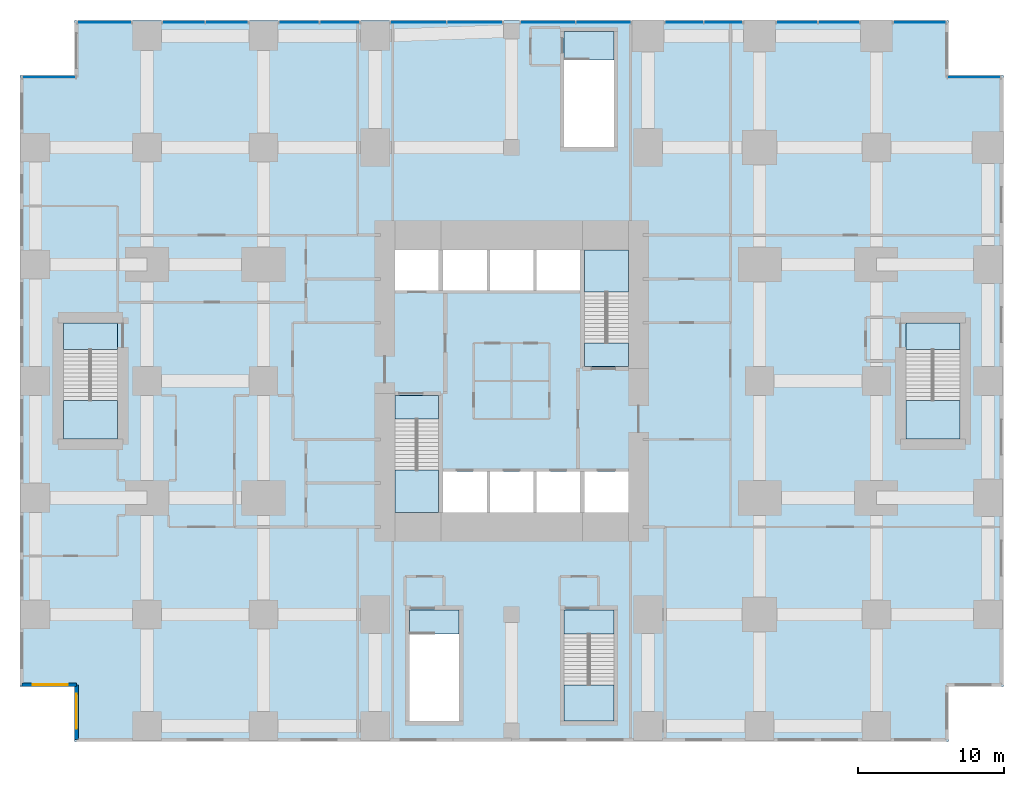
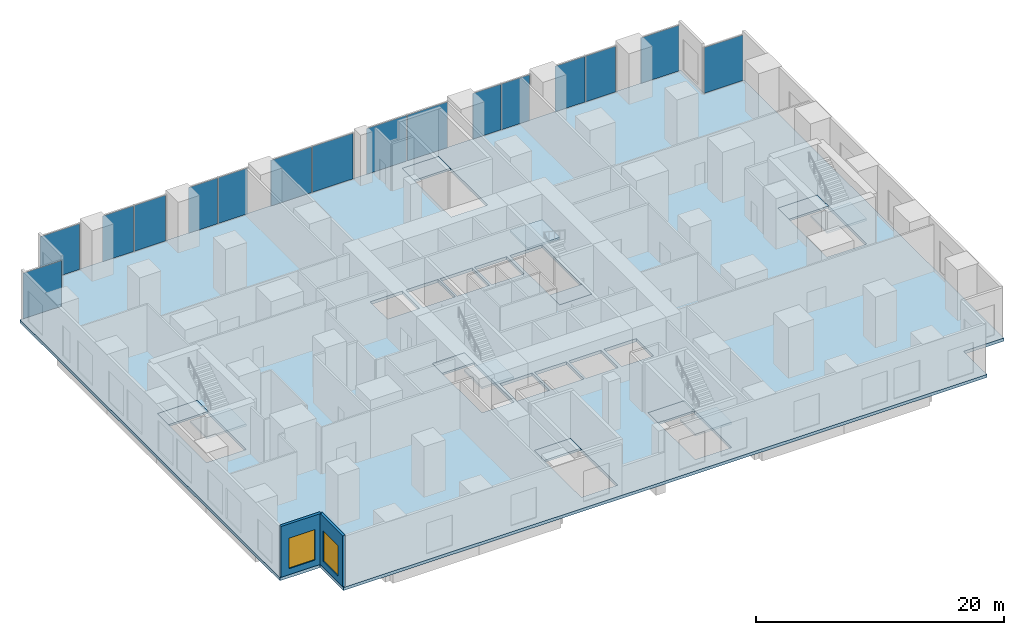
# One storey, part 5 of 11: 16 plates, 13 slabs, 2 walls, 2 windows, 2 openings, 15 elements without a shape of their own.
"""IFC4 building model written with IfcOpenShell, lengths in metres."""

from ifc_helpers import new_model, si_unit, direction, frame, frame_2d, origin, origin_2d, place, context, subcontext, project, spatial, polyline, rectangle, outline, extrude, material, layer, layer_set, type_object, element, fill, aggregate, save


model = new_model("IFC4")

# Units and contexts
model_context = context("Model", 3, precision=1e-05, world=origin(), true_north=direction((0.0, 1.0)))
body_context = subcontext(model_context, "Body", "Model", "MODEL_VIEW")
ifc_project = project(units=[si_unit("LENGTHUNIT", "METRE"), si_unit("AREAUNIT", "SQUARE_METRE"), si_unit("VOLUMEUNIT", "CUBIC_METRE"), si_unit("PLANEANGLEUNIT", "RADIAN"), si_unit("MASSUNIT", "GRAM", prefix="KILO")], contexts=[model_context])

# Site, building, storey
site_placement = place(None, origin())
site = spatial("IfcSite", under=ifc_project, at=site_placement, CompositionType="ELEMENT")
building_placement = place(site_placement, origin())
building = spatial("IfcBuilding", under=site, at=building_placement, Name="Cleftline Residences", CompositionType="ELEMENT")
storey_placement = place(building_placement, frame((0.0, 0.0, 21.0)))
storey = spatial("IfcBuildingStorey", under=building, at=storey_placement, Name="L04", CompositionType="ELEMENT", Elevation=21.0)

# Curtain wall, plate
ifc_material_1 = material(Name="Aluminium framed curtain wall", Category="aluminium")
ifc_layer_1 = layer(ifc_material_1, 0.199951171875)
ifc_layer_set_1 = layer_set([ifc_layer_1], Name="CW2 PODIUM GLAZING")
curtain_wall_type = type_object("IfcCurtainWallType", Name="CW2 PODIUM GLAZING", PredefinedType="NOTDEFINED", material=ifc_layer_set_1)
curtain_wall_1_placement = place(storey_placement, origin())
curtain_wall_1 = element("IfcCurtainWall", 1, at=curtain_wall_1_placement, inside=storey, type_object=curtain_wall_type, Name="Curtain wall CW2", PredefinedType="NOTDEFINED")
ifc_material_2 = material(Name="Laminated clear glass", Category="glass")
ifc_layer_2 = layer(ifc_material_2, 0.028076171875)
ifc_layer_set_2 = layer_set([ifc_layer_2], Name="CW2 GLASS PANEL")
plate_type = type_object("IfcPlateType", Name="CW2 GLASS PANEL", PredefinedType="CURTAIN_PANEL", material=ifc_layer_set_2)
plate_1_placement = place(storey_placement, frame((64.699951171875, 44.824951171875, 0.080078125), z_axis=(0.0, 0.0, 1.0), x_axis=(-1.0, 0.0, 0.0)))
plate_1 = element("IfcPlate", 2, at=plate_1_placement, type_object=plate_type, Name="CW2 panel 1.1", PredefinedType="CURTAIN_PANEL", context=body_context, shape_type="SweptSolid", body=[
    extrude(rectangle(XDim=3.590087890625, YDim=0.028076171875, at=origin_2d()), origin(), (0.0, 0.0, 1.0), 4.489990234375),
])
aggregate(curtain_wall_1, [plate_1])

curtain_wall_2_placement = place(storey_placement, origin())
curtain_wall_2 = element("IfcCurtainWall", 3, at=curtain_wall_2_placement, inside=storey, type_object=curtain_wall_type, Name="Curtain wall CW2", PredefinedType="NOTDEFINED")
plate_2_placement = place(storey_placement, frame((60.96240234375, 48.574951171875, 0.080078125), z_axis=(0.0, 0.0, 1.0), x_axis=(-1.0, 0.0, 0.0)))
plate_2 = element("IfcPlate", 4, at=plate_2_placement, type_object=plate_type, Name="CW2 panel 1.1", PredefinedType="CURTAIN_PANEL", context=body_context, shape_type="SweptSolid", body=[
    extrude(rectangle(XDim=3.56494140625, YDim=0.028076171875, at=origin_2d()), origin(), (0.0, 0.0, 1.0), 4.489990234375),
])
aggregate(curtain_wall_2, [plate_2])

# Curtain wall, plates
curtain_wall_3_placement = place(storey_placement, origin())
curtain_wall_3 = element("IfcCurtainWall", 5, at=curtain_wall_3_placement, inside=storey, type_object=curtain_wall_type, Name="Curtain wall CW2", PredefinedType="NOTDEFINED")
plate_3_placement = place(storey_placement, frame((55.429931640625, 48.574951171875, 0.080078125), z_axis=(0.0, 0.0, 1.0), x_axis=(-1.0, 0.0, 0.0)))
plate_3 = element("IfcPlate", 6, at=plate_3_placement, type_object=plate_type, Name="CW2 panel 1.1", PredefinedType="CURTAIN_PANEL", context=body_context, shape_type="SweptSolid", body=[
    extrude(rectangle(XDim=2.780029296875, YDim=0.028076171875, at=origin_2d()), origin(), (0.0, 0.0, 1.0), 4.489990234375),
])
plate_4_placement = place(storey_placement, frame((52.570068359375, 48.574951171875, 0.080078125), z_axis=(0.0, 0.0, 1.0), x_axis=(-1.0, 0.0, 0.0)))
plate_4 = element("IfcPlate", 7, at=plate_4_placement, type_object=plate_type, Name="CW2 panel 2.1", PredefinedType="CURTAIN_PANEL", context=body_context, shape_type="SweptSolid", body=[
    extrude(rectangle(XDim=2.780029296875, YDim=0.028076171875, at=origin_2d()), origin(), (0.0, 0.0, 1.0), 4.489990234375),
])
aggregate(curtain_wall_3, [plate_3, plate_4])

curtain_wall_4_placement = place(storey_placement, origin())
curtain_wall_4 = element("IfcCurtainWall", 8, at=curtain_wall_4_placement, inside=storey, type_object=curtain_wall_type, Name="Curtain wall CW2", PredefinedType="NOTDEFINED")
plate_5_placement = place(storey_placement, frame((47.517578125, 48.574951171875, 0.080078125), z_axis=(0.0, 0.0, 1.0), x_axis=(-1.0, 0.0, 0.0)))
plate_5 = element("IfcPlate", 9, at=plate_5_placement, type_object=plate_type, Name="CW2 panel 1.1", PredefinedType="CURTAIN_PANEL", context=body_context, shape_type="SweptSolid", body=[
    extrude(rectangle(XDim=2.60498046875, YDim=0.028076171875, at=origin_2d()), origin(), (0.0, 0.0, 1.0), 4.489990234375),
])
plate_6_placement = place(storey_placement, frame((44.83251953125, 48.574951171875, 0.080078125), z_axis=(0.0, 0.0, 1.0), x_axis=(-1.0, 0.0, 0.0)))
plate_6 = element("IfcPlate", 10, at=plate_6_placement, type_object=plate_type, Name="CW2 panel 2.1", PredefinedType="CURTAIN_PANEL", context=body_context, shape_type="SweptSolid", body=[
    extrude(rectangle(XDim=2.60498046875, YDim=0.028076171875, at=origin_2d()), origin(), (0.0, 0.0, 1.0), 4.489990234375),
])
aggregate(curtain_wall_4, [plate_5, plate_6])

curtain_wall_5_placement = place(storey_placement, origin())
curtain_wall_5 = element("IfcCurtainWall", 11, at=curtain_wall_5_placement, inside=storey, type_object=curtain_wall_type, Name="Curtain wall CW2", PredefinedType="NOTDEFINED")
plate_7_placement = place(storey_placement, frame((39.304931640625, 48.574951171875, 0.080078125), z_axis=(0.0, 0.0, 1.0), x_axis=(-1.0, 0.0, 0.0)))
plate_7 = element("IfcPlate", 12, at=plate_7_placement, type_object=plate_type, Name="CW2 panel 1.1", PredefinedType="CURTAIN_PANEL", context=body_context, shape_type="SweptSolid", body=[
    extrude(rectangle(XDim=3.72998046875, YDim=0.028076171875, at=origin_2d()), origin(), (0.0, 0.0, 1.0), 4.489990234375),
])
plate_8_placement = place(storey_placement, frame((35.4951171875, 48.574951171875, 0.080078125), z_axis=(0.0, 0.0, 1.0), x_axis=(-1.0, 0.0, 0.0)))
plate_8 = element("IfcPlate", 13, at=plate_8_placement, type_object=plate_type, Name="CW2 panel 2.1", PredefinedType="CURTAIN_PANEL", context=body_context, shape_type="SweptSolid", body=[
    extrude(rectangle(XDim=3.72998046875, YDim=0.028076171875, at=origin_2d()), origin(), (0.0, 0.0, 1.0), 4.489990234375),
])
aggregate(curtain_wall_5, [plate_7, plate_8])

curtain_wall_6_placement = place(storey_placement, origin())
curtain_wall_6 = element("IfcCurtainWall", 14, at=curtain_wall_6_placement, inside=storey, type_object=curtain_wall_type, Name="Curtain wall CW2", PredefinedType="NOTDEFINED")
plate_9_placement = place(storey_placement, frame((30.47998046875, 48.574951171875, 0.080078125), z_axis=(0.0, 0.0, 1.0), x_axis=(-1.0, 0.0, 0.0)))
plate_9 = element("IfcPlate", 15, at=plate_9_placement, type_object=plate_type, Name="CW2 panel 1.1", PredefinedType="CURTAIN_PANEL", context=body_context, shape_type="SweptSolid", body=[
    extrude(rectangle(XDim=3.780029296875, YDim=0.028076171875, at=origin_2d()), origin(), (0.0, 0.0, 1.0), 4.489990234375),
])
plate_10_placement = place(storey_placement, frame((26.6201171875, 48.574951171875, 0.080078125), z_axis=(0.0, 0.0, 1.0), x_axis=(-1.0, 0.0, 0.0)))
plate_10 = element("IfcPlate", 16, at=plate_10_placement, type_object=plate_type, Name="CW2 panel 2.1", PredefinedType="CURTAIN_PANEL", context=body_context, shape_type="SweptSolid", body=[
    extrude(rectangle(XDim=3.780029296875, YDim=0.028076171875, at=origin_2d()), origin(), (0.0, 0.0, 1.0), 4.489990234375),
])
aggregate(curtain_wall_6, [plate_9, plate_10])

curtain_wall_7_placement = place(storey_placement, origin())
curtain_wall_7 = element("IfcCurtainWall", 17, at=curtain_wall_7_placement, inside=storey, type_object=curtain_wall_type, Name="Curtain wall CW2", PredefinedType="NOTDEFINED")
plate_11_placement = place(storey_placement, frame((21.217529296875, 48.574951171875, 0.080078125), z_axis=(0.0, 0.0, 1.0), x_axis=(-1.0, 0.0, 0.0)))
plate_11 = element("IfcPlate", 18, at=plate_11_placement, type_object=plate_type, Name="CW2 panel 1.1", PredefinedType="CURTAIN_PANEL", context=body_context, shape_type="SweptSolid", body=[
    extrude(rectangle(XDim=2.705078125, YDim=0.028076171875, at=origin_2d()), origin(), (0.0, 0.0, 1.0), 4.489990234375),
])
plate_12_placement = place(storey_placement, frame((18.4326171875, 48.574951171875, 0.080078125), z_axis=(0.0, 0.0, 1.0), x_axis=(-1.0, 0.0, 0.0)))
plate_12 = element("IfcPlate", 19, at=plate_12_placement, type_object=plate_type, Name="CW2 panel 2.1", PredefinedType="CURTAIN_PANEL", context=body_context, shape_type="SweptSolid", body=[
    extrude(rectangle(XDim=2.705078125, YDim=0.028076171875, at=origin_2d()), origin(), (0.0, 0.0, 1.0), 4.489990234375),
])
aggregate(curtain_wall_7, [plate_11, plate_12])

curtain_wall_8_placement = place(storey_placement, origin())
curtain_wall_8 = element("IfcCurtainWall", 20, at=curtain_wall_8_placement, inside=storey, type_object=curtain_wall_type, Name="Curtain wall CW2", PredefinedType="NOTDEFINED")
plate_13_placement = place(storey_placement, frame((13.47998046875, 48.574951171875, 0.080078125), z_axis=(0.0, 0.0, 1.0), x_axis=(-1.0, 0.0, 0.0)))
plate_13 = element("IfcPlate", 21, at=plate_13_placement, type_object=plate_type, Name="CW2 panel 1.1", PredefinedType="CURTAIN_PANEL", context=body_context, shape_type="SweptSolid", body=[
    extrude(rectangle(XDim=2.8798828125, YDim=0.028076171875, at=origin_2d()), origin(), (0.0, 0.0, 1.0), 4.489990234375),
])
plate_14_placement = place(storey_placement, frame((10.52001953125, 48.574951171875, 0.080078125), z_axis=(0.0, 0.0, 1.0), x_axis=(-1.0, 0.0, 0.0)))
plate_14 = element("IfcPlate", 22, at=plate_14_placement, type_object=plate_type, Name="CW2 panel 2.1", PredefinedType="CURTAIN_PANEL", context=body_context, shape_type="SweptSolid", body=[
    extrude(rectangle(XDim=2.8798828125, YDim=0.028076171875, at=origin_2d()), origin(), (0.0, 0.0, 1.0), 4.489990234375),
])
aggregate(curtain_wall_8, [plate_13, plate_14])

# Curtain wall, plate
curtain_wall_9_placement = place(storey_placement, origin())
curtain_wall_9 = element("IfcCurtainWall", 23, at=curtain_wall_9_placement, inside=storey, type_object=curtain_wall_type, Name="Curtain wall CW2", PredefinedType="NOTDEFINED")
plate_15_placement = place(storey_placement, frame((5.08740234375, 48.574951171875, 0.080078125), z_axis=(0.0, 0.0, 1.0), x_axis=(-1.0, 0.0, 0.0)))
plate_15 = element("IfcPlate", 24, at=plate_15_placement, type_object=plate_type, Name="CW2 panel 1.1", PredefinedType="CURTAIN_PANEL", context=body_context, shape_type="SweptSolid", body=[
    extrude(rectangle(XDim=3.6650390625, YDim=0.028076171875, at=origin_2d()), origin(), (0.0, 0.0, 1.0), 4.489990234375),
])
aggregate(curtain_wall_9, [plate_15])

curtain_wall_10_placement = place(storey_placement, origin())
curtain_wall_10 = element("IfcCurtainWall", 25, at=curtain_wall_10_placement, inside=storey, type_object=curtain_wall_type, Name="Curtain wall CW2", PredefinedType="NOTDEFINED")
plate_16_placement = place(storey_placement, frame((1.300048828125, 44.824951171875, 0.080078125), z_axis=(0.0, 0.0, 1.0), x_axis=(-1.0, 0.0, 0.0)))
plate_16 = element("IfcPlate", 26, at=plate_16_placement, type_object=plate_type, Name="CW2 panel 1.1", PredefinedType="CURTAIN_PANEL", context=body_context, shape_type="SweptSolid", body=[
    extrude(rectangle(XDim=3.590087890625, YDim=0.028076171875, at=origin_2d()), origin(), (0.0, 0.0, 1.0), 4.489990234375),
])
aggregate(curtain_wall_10, [plate_16])

# Slab
ifc_material_3 = material(Name="Concrete B45", Category="concrete")
ifc_layer_3 = layer(ifc_material_3, 0.300048828125)
ifc_layer_set_3 = layer_set([ifc_layer_3], Name="FLOOR SLAB 300")
slab_type_1 = type_object("IfcSlabType", Name="FLOOR SLAB 300", PredefinedType="FLOOR", material=ifc_layer_set_3)
slab_1_placement = place(storey_placement, frame((0.0, 0.0, -0.300048828125)))
element("IfcSlab", 27, at=slab_1_placement, inside=storey, type_object=slab_type_1, Name="Floor slab L04", PredefinedType="FLOOR", context=body_context, shape_type="SweptSolid", body=[
    extrude(outline(polyline([(66.699951171875, 3.050048828125), (66.699951171875, 44.949951171875), (62.949951171875, 44.949951171875), (62.949951171875, 48.699951171875), (3.050048828125, 48.699951171875), (3.050048828125, 44.949951171875), (-0.699951171875, 44.949951171875), (-0.699951171875, 3.050048828125), (3.050048828125, 3.050048828125), (3.050048828125, -0.699951171875), (62.949951171875, -0.699951171875), (62.949951171875, 3.050048828125), (66.699951171875, 3.050048828125)]), holes=[polyline([(28.0, 15.0), (28.0, 23.0), (25.0, 23.0), (25.0, 15.0), (28.0, 15.0)]), polyline([(41.0, 25.0), (41.0, 33.0), (38.0, 33.0), (38.0, 25.0), (41.0, 25.0)]), polyline([(28.0, 30.199951171875), (28.0, 33.0), (25.0, 33.0), (25.0, 30.199951171875), (28.0, 30.199951171875)]), polyline([(41.0, 15.0), (41.0, 17.800048828125), (38.0, 17.800048828125), (38.0, 15.0), (41.0, 15.0)]), polyline([(31.300048828125, 15.0), (31.300048828125, 17.800048828125), (28.300048828125, 17.800048828125), (28.300048828125, 15.0), (31.300048828125, 15.0)]), polyline([(34.5, 15.0), (34.5, 17.800048828125), (31.5, 17.800048828125), (31.5, 15.0), (34.5, 15.0)]), polyline([(37.699951171875, 15.0), (37.699951171875, 17.800048828125), (34.699951171875, 17.800048828125), (34.699951171875, 15.0), (37.699951171875, 15.0)]), polyline([(31.300048828125, 30.199951171875), (31.300048828125, 33.0), (28.300048828125, 33.0), (28.300048828125, 30.199951171875), (31.300048828125, 30.199951171875)]), polyline([(34.5, 30.199951171875), (34.5, 33.0), (31.5, 33.0), (31.5, 30.199951171875), (34.5, 30.199951171875)]), polyline([(37.699951171875, 30.199951171875), (37.699951171875, 33.0), (34.699951171875, 33.0), (34.699951171875, 30.199951171875), (37.699951171875, 30.199951171875)]), polyline([(29.39990234375, 0.699951171875), (29.39990234375, 8.300048828125), (26.0, 8.300048828125), (26.0, 0.699951171875), (29.39990234375, 0.699951171875)]), polyline([(40.0, 0.699951171875), (40.0, 8.300048828125), (36.60009765625, 8.300048828125), (36.60009765625, 0.699951171875), (40.0, 0.699951171875)]), polyline([(40.0, 40.050048828125), (40.0, 47.949951171875), (36.60009765625, 47.949951171875), (36.60009765625, 40.050048828125), (40.0, 40.050048828125)]), polyline([(63.72509765625, 20.02490234375), (63.72509765625, 27.97509765625), (60.02490234375, 27.97509765625), (60.02490234375, 20.02490234375), (63.72509765625, 20.02490234375)]), polyline([(5.97509765625, 20.02490234375), (5.97509765625, 27.97509765625), (2.27490234375, 27.97509765625), (2.27490234375, 20.02490234375), (5.97509765625, 20.02490234375)])]), origin(), (0.0, 0.0, 1.0), 0.300048828125),
])

# Stair, slabs
ifc_material_4 = material(Name="Concrete B45, stone treads", Category="masonry")
stair_type_1 = type_object("IfcStairType", Name="STAIR A 1450 WIDE 179 RISER", PredefinedType="HALF_TURN_STAIR", material=ifc_material_4)
stair_1_placement = place(storey_placement, origin())
stair_1 = element("IfcStair", 28, at=stair_1_placement, inside=storey, type_object=stair_type_1, Name="Stair A L04", PredefinedType="HALF_TURN_STAIR")
ifc_material_5 = material(Name="Concrete B45", Category="concrete")
ifc_layer_4 = layer(ifc_material_5, 0.199951171875)
ifc_layer_set_4 = layer_set([ifc_layer_4], Name="STAIR LANDING 200")
slab_type_2 = type_object("IfcSlabType", Name="STAIR LANDING 200", PredefinedType="LANDING", material=ifc_layer_set_4)
slab_2_placement = place(storey_placement, frame((0.0, 0.0, -0.199951171875)))
slab_2 = element("IfcSlab", 29, at=slab_2_placement, type_object=slab_type_2, Name="ST-A landing 1", PredefinedType="LANDING", context=body_context, shape_type="SweptSolid", body=[
    extrude(outline(polyline([(25.0, 21.39990234375), (28.0, 21.39990234375), (28.0, 23.0), (25.0, 23.0), (25.0, 21.39990234375)])), origin(), (0.0, 0.0, 1.0), 0.199951171875),
])
slab_3_placement = place(storey_placement, frame((0.0, 0.0, 2.300048828125)))
slab_3 = element("IfcSlab", 30, at=slab_3_placement, type_object=slab_type_2, Name="ST-A landing 2", PredefinedType="LANDING", context=body_context, shape_type="SweptSolid", body=[
    extrude(outline(polyline([(25.0, 15.0), (28.0, 15.0), (28.0, 17.889892578125), (25.0, 17.889892578125), (25.0, 15.0)])), origin(), (0.0, 0.0, 1.0), 0.199951171875),
])
aggregate(stair_1, [slab_2, slab_3])

ifc_material_6 = material(Name="Concrete B45, stone treads", Category="masonry")
stair_type_2 = type_object("IfcStairType", Name="STAIR B 1450 WIDE 179 RISER", PredefinedType="HALF_TURN_STAIR", material=ifc_material_6)
stair_2_placement = place(storey_placement, origin())
stair_2 = element("IfcStair", 31, at=stair_2_placement, inside=storey, type_object=stair_type_2, Name="Stair B L04", PredefinedType="HALF_TURN_STAIR")
slab_4_placement = place(storey_placement, frame((0.0, 0.0, -0.199951171875)))
slab_4 = element("IfcSlab", 32, at=slab_4_placement, type_object=slab_type_2, Name="ST-B landing 1", PredefinedType="LANDING", context=body_context, shape_type="SweptSolid", body=[
    extrude(outline(polyline([(38.0, 25.0), (41.0, 25.0), (41.0, 26.60009765625), (38.0, 26.60009765625), (38.0, 25.0)])), origin(), (0.0, 0.0, 1.0), 0.199951171875),
])
slab_5_placement = place(storey_placement, frame((0.0, 0.0, 2.300048828125)))
slab_5 = element("IfcSlab", 33, at=slab_5_placement, type_object=slab_type_2, Name="ST-B landing 2", PredefinedType="LANDING", context=body_context, shape_type="SweptSolid", body=[
    extrude(outline(polyline([(38.0, 30.110107421875), (41.0, 30.110107421875), (41.0, 33.0), (38.0, 33.0), (38.0, 30.110107421875)])), origin(), (0.0, 0.0, 1.0), 0.199951171875),
])
aggregate(stair_2, [slab_4, slab_5])

# Slab
slab_6_placement = place(storey_placement, frame((0.0, 0.0, -0.199951171875)))
element("IfcSlab", 34, at=slab_6_placement, inside=storey, type_object=slab_type_2, Name="Stair C top landing", PredefinedType="LANDING", context=body_context, shape_type="SweptSolid", body=[
    extrude(outline(polyline([(26.0, 6.669921875), (29.39990234375, 6.669921875), (29.39990234375, 8.300048828125), (26.0, 8.300048828125), (26.0, 6.669921875)])), origin(), (0.0, 0.0, 1.0), 0.199951171875),
])

# Stair, slabs
ifc_material_7 = material(Name="Concrete B45, stone treads", Category="masonry")
stair_type_3 = type_object("IfcStairType", Name="STAIR C2 1630 WIDE 179 RISER", PredefinedType="HALF_TURN_STAIR", material=ifc_material_7)
stair_3_placement = place(storey_placement, origin())
stair_3 = element("IfcStair", 35, at=stair_3_placement, inside=storey, type_object=stair_type_3, Name="Stair C2 L04", PredefinedType="HALF_TURN_STAIR")
slab_7_placement = place(storey_placement, frame((0.0, 0.0, -0.199951171875)))
slab_7 = element("IfcSlab", 36, at=slab_7_placement, type_object=slab_type_2, Name="ST-C2 landing 1", PredefinedType="LANDING", context=body_context, shape_type="SweptSolid", body=[
    extrude(outline(polyline([(36.60009765625, 6.669921875), (40.0, 6.669921875), (40.0, 8.300048828125), (36.60009765625, 8.300048828125), (36.60009765625, 6.669921875)])), origin(), (0.0, 0.0, 1.0), 0.199951171875),
])
slab_8_placement = place(storey_placement, frame((0.0, 0.0, 2.300048828125)))
slab_8 = element("IfcSlab", 37, at=slab_8_placement, type_object=slab_type_2, Name="ST-C2 landing 2", PredefinedType="LANDING", context=body_context, shape_type="SweptSolid", body=[
    extrude(outline(polyline([(36.60009765625, 0.699951171875), (40.0, 0.699951171875), (40.0, 3.159912109375), (36.60009765625, 3.159912109375), (36.60009765625, 0.699951171875)])), origin(), (0.0, 0.0, 1.0), 0.199951171875),
])
aggregate(stair_3, [slab_7, slab_8])

# Slab
slab_9_placement = place(storey_placement, frame((0.0, 0.0, -0.199951171875)))
element("IfcSlab", 38, at=slab_9_placement, inside=storey, type_object=slab_type_2, Name="Stair D top landing", PredefinedType="LANDING", context=body_context, shape_type="SweptSolid", body=[
    extrude(outline(polyline([(36.60009765625, 46.02001953125), (40.0, 46.02001953125), (40.0, 47.949951171875), (36.60009765625, 47.949951171875), (36.60009765625, 46.02001953125)])), origin(), (0.0, 0.0, 1.0), 0.199951171875),
])

# Stair, slabs
ifc_material_8 = material(Name="Concrete B45, stone treads", Category="masonry")
stair_type_4 = type_object("IfcStairType", Name="STAIR E 1800 WIDE 179 RISER", PredefinedType="HALF_TURN_STAIR", material=ifc_material_8)
stair_4_placement = place(storey_placement, origin())
stair_4 = element("IfcStair", 39, at=stair_4_placement, inside=storey, type_object=stair_type_4, Name="Stair E L04", PredefinedType="HALF_TURN_STAIR")
slab_10_placement = place(storey_placement, frame((0.0, 0.0, -0.199951171875)))
slab_10 = element("IfcSlab", 40, at=slab_10_placement, type_object=slab_type_2, Name="ST-E landing 1", PredefinedType="LANDING", context=body_context, shape_type="SweptSolid", body=[
    extrude(outline(polyline([(60.02490234375, 26.175048828125), (63.72509765625, 26.175048828125), (63.72509765625, 27.97509765625), (60.02490234375, 27.97509765625), (60.02490234375, 26.175048828125)])), origin(), (0.0, 0.0, 1.0), 0.199951171875),
])
slab_11_placement = place(storey_placement, frame((0.0, 0.0, 2.300048828125)))
slab_11 = element("IfcSlab", 41, at=slab_11_placement, type_object=slab_type_2, Name="ST-E landing 2", PredefinedType="LANDING", context=body_context, shape_type="SweptSolid", body=[
    extrude(outline(polyline([(60.02490234375, 20.02490234375), (63.72509765625, 20.02490234375), (63.72509765625, 22.6650390625), (60.02490234375, 22.6650390625), (60.02490234375, 20.02490234375)])), origin(), (0.0, 0.0, 1.0), 0.199951171875),
])
aggregate(stair_4, [slab_10, slab_11])

ifc_material_9 = material(Name="Concrete B45, stone treads", Category="masonry")
stair_type_5 = type_object("IfcStairType", Name="STAIR W 1800 WIDE 179 RISER", PredefinedType="HALF_TURN_STAIR", material=ifc_material_9)
stair_5_placement = place(storey_placement, origin())
stair_5 = element("IfcStair", 42, at=stair_5_placement, inside=storey, type_object=stair_type_5, Name="Stair W L04", PredefinedType="HALF_TURN_STAIR")
slab_12_placement = place(storey_placement, frame((0.0, 0.0, -0.199951171875)))
slab_12 = element("IfcSlab", 43, at=slab_12_placement, type_object=slab_type_2, Name="ST-W landing 1", PredefinedType="LANDING", context=body_context, shape_type="SweptSolid", body=[
    extrude(outline(polyline([(2.27490234375, 26.175048828125), (5.97509765625, 26.175048828125), (5.97509765625, 27.97509765625), (2.27490234375, 27.97509765625), (2.27490234375, 26.175048828125)])), origin(), (0.0, 0.0, 1.0), 0.199951171875),
])
slab_13_placement = place(storey_placement, frame((0.0, 0.0, 2.300048828125)))
slab_13 = element("IfcSlab", 44, at=slab_13_placement, type_object=slab_type_2, Name="ST-W landing 2", PredefinedType="LANDING", context=body_context, shape_type="SweptSolid", body=[
    extrude(outline(polyline([(2.27490234375, 20.02490234375), (5.97509765625, 20.02490234375), (5.97509765625, 22.6650390625), (2.27490234375, 22.6650390625), (2.27490234375, 20.02490234375)])), origin(), (0.0, 0.0, 1.0), 0.199951171875),
])
aggregate(stair_5, [slab_12, slab_13])

# Wall, opening, window
ifc_material_10 = material(Name="Rendered reinforced concrete blockwork", Category="masonry")
ifc_layer_5 = layer(ifc_material_10, 0.25)
ifc_layer_set_5 = layer_set([ifc_layer_5], Name="EXTERNAL WALL 250")
wall_type = type_object("IfcWallType", Name="EXTERNAL WALL 250", PredefinedType="SOLIDWALL", material=ifc_layer_set_5)
wall_1_placement = place(storey_placement, frame((-0.574951171875, 3.175048828125, 0.0), z_axis=(0.0, 0.0, 1.0), x_axis=(1.0, 0.0, 0.0)))
wall_1 = element("IfcWall", 45, at=wall_1_placement, inside=storey, type_object=wall_type, Name="External wall", PredefinedType="SOLIDWALL", context=body_context, shape_type="SweptSolid", body=[
    extrude(rectangle(XDim=3.75, YDim=0.25, at=frame_2d((1.875, 0.0))), origin(), (0.0, 0.0, 1.0), 5.0),
])
opening_1_placement = place(wall_1_placement, frame((0.737548828125, 0.0, 0.60009765625)))
opening_1 = element("IfcOpeningElement", 46, at=opening_1_placement, cuts=wall_1, Name="Opening W3", PredefinedType="OPENING", context=body_context, shape_type="SweptSolid", body=[
    extrude(rectangle(XDim=2.39990234375, YDim=3.0, at=frame_2d((1.199951171875, 1.5))), frame((0.0, 0.135009765625, 0.0), z_axis=(0.0, -1.0, 0.0), x_axis=(1.0, 0.0, 0.0)), (0.0, 0.0, 1.0), 0.27001953125),
])
ifc_material_11 = material(Name="Aluminium frame, clear double glazing", Category="aluminium")
window_type = type_object("IfcWindowType", Name="WINDOW 2400X3000", PartitioningType="DOUBLE_PANEL_VERTICAL", PredefinedType="WINDOW", material=ifc_material_11)
window_1_placement = place(opening_1_placement, origin())
window_1 = element("IfcWindow", 47, at=window_1_placement, inside=storey, type_object=window_type, Name="Window", OverallHeight=3.0, OverallWidth=2.39990234375, PartitioningType="SINGLE_PANEL", PredefinedType="WINDOW", context=body_context, shape_type="SweptSolid", body=[
    extrude(rectangle(XDim=2.39990234375, YDim=3.0, at=frame_2d((1.199951171875, 1.5))), frame((0.0, 0.030029296875, 0.0), z_axis=(0.0, -1.0, 0.0), x_axis=(1.0, 0.0, 0.0)), (0.0, 0.0, 1.0), 0.06005859375),
])
fill(opening_1, window_1)

wall_2_placement = place(storey_placement, frame((3.175048828125, 3.175048828125, 0.0), z_axis=(0.0, 0.0, 1.0), x_axis=(0.0, -1.0, 0.0)))
wall_2 = element("IfcWall", 48, at=wall_2_placement, inside=storey, type_object=wall_type, Name="External wall", PredefinedType="SOLIDWALL", context=body_context, shape_type="SweptSolid", body=[
    extrude(rectangle(XDim=3.75, YDim=0.25, at=frame_2d((1.875, 0.0))), origin(), (0.0, 0.0, 1.0), 5.0),
])
opening_2_placement = place(wall_2_placement, frame((0.612548828125, 0.0, 0.60009765625)))
opening_2 = element("IfcOpeningElement", 49, at=opening_2_placement, cuts=wall_2, Name="Opening W3", PredefinedType="OPENING", context=body_context, shape_type="SweptSolid", body=[
    extrude(rectangle(XDim=2.39990234375, YDim=3.0, at=frame_2d((1.199951171875, 1.5))), frame((0.0, 0.135009765625, 0.0), z_axis=(0.0, -1.0, 0.0), x_axis=(1.0, 0.0, 0.0)), (0.0, 0.0, 1.0), 0.27001953125),
])
window_2_placement = place(opening_2_placement, origin())
window_2 = element("IfcWindow", 50, at=window_2_placement, inside=storey, type_object=window_type, Name="Window", OverallHeight=3.0, OverallWidth=2.39990234375, PartitioningType="SINGLE_PANEL", PredefinedType="WINDOW", context=body_context, shape_type="SweptSolid", body=[
    extrude(rectangle(XDim=2.39990234375, YDim=3.0, at=frame_2d((1.199951171875, 1.5))), frame((0.0, 0.030029296875, 0.0), z_axis=(0.0, -1.0, 0.0), x_axis=(1.0, 0.0, 0.0)), (0.0, 0.0, 1.0), 0.06005859375),
])
fill(opening_2, window_2)

save(model, "model.ifc")
